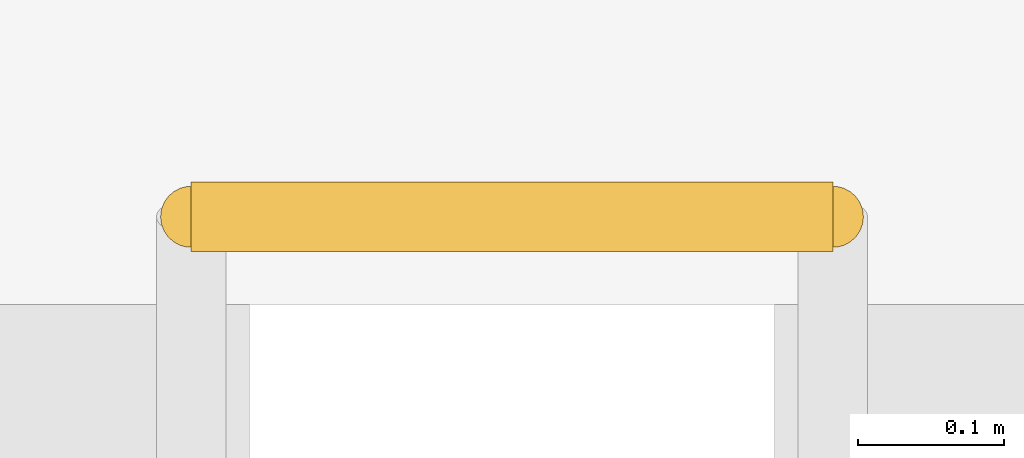
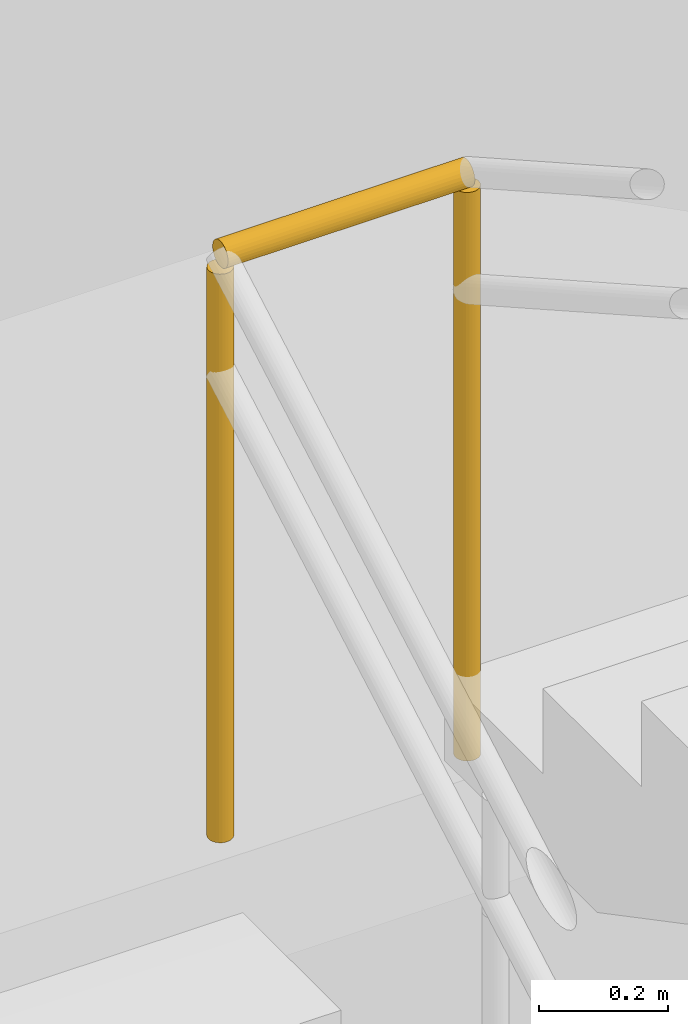
# One storey, part 63 of 70: 1 railing.
"""IFC4 building model written with IfcOpenShell, lengths in metres."""

from ifc_helpers import new_model, si_unit, direction, frame, origin, origin_2d, place, context, subcontext, project, spatial, circle, extrude, material, type_object, element, save


model = new_model("IFC4")

# Units and contexts
model_context = context("Model", 3, precision=1e-05, world=origin(), true_north=direction((0.0, 1.0)))
body_context = subcontext(model_context, "Body", "Model", "MODEL_VIEW")
ifc_project = project(units=[si_unit("LENGTHUNIT", "METRE"), si_unit("AREAUNIT", "SQUARE_METRE"), si_unit("VOLUMEUNIT", "CUBIC_METRE"), si_unit("PLANEANGLEUNIT", "RADIAN"), si_unit("MASSUNIT", "GRAM", prefix="KILO")], contexts=[model_context])

# Site, building, storey
site_placement = place(None, origin())
site = spatial("IfcSite", under=ifc_project, at=site_placement, CompositionType="ELEMENT")
building_placement = place(site_placement, origin())
building = spatial("IfcBuilding", under=site, at=building_placement, Name="Brisemont Oceanarium", CompositionType="ELEMENT")
storey_placement = place(building_placement, frame((0.0, 0.0, 10.199951171875)))
storey = spatial("IfcBuildingStorey", under=building, at=storey_placement, Name="L02", CompositionType="ELEMENT", Elevation=10.199951171875)

# Railing
ifc_material = material(Name="Duplex Stainless Steel EN 1.4462", Category="steel")
railing_type = type_object("IfcRailingType", Name="RLG-GUARD-1120", PredefinedType="GUARDRAIL", material=ifc_material)
railing_placement = place(storey_placement, frame((129.909912109375, 22.050048828125, 2.400146484375)))
element("IfcRailing", 1, at=railing_placement, inside=storey, type_object=railing_type, Name="ST-04 L02 landing slot guard", PredefinedType="GUARDRAIL", context=body_context, shape_type="SweptSolid", body=[
    extrude(circle(Radius=0.02392578125, at=origin_2d()), frame((0.0, 0.0, 1.09619140625), z_axis=(1.0, 0.0, 0.0), x_axis=(0.0, 1.0, 0.0)), (0.0, 0.0, 1.0), 0.440185546875),
    extrude(circle(Radius=0.02099609375, at=origin_2d()), origin(), (0.0, 0.0, 1.0), 1.072021484375),
    extrude(circle(Radius=0.02099609375, at=origin_2d()), frame((0.440185546875, 0.0, 0.0)), (0.0, 0.0, 1.0), 1.072021484375),
])

save(model, "model.ifc")
